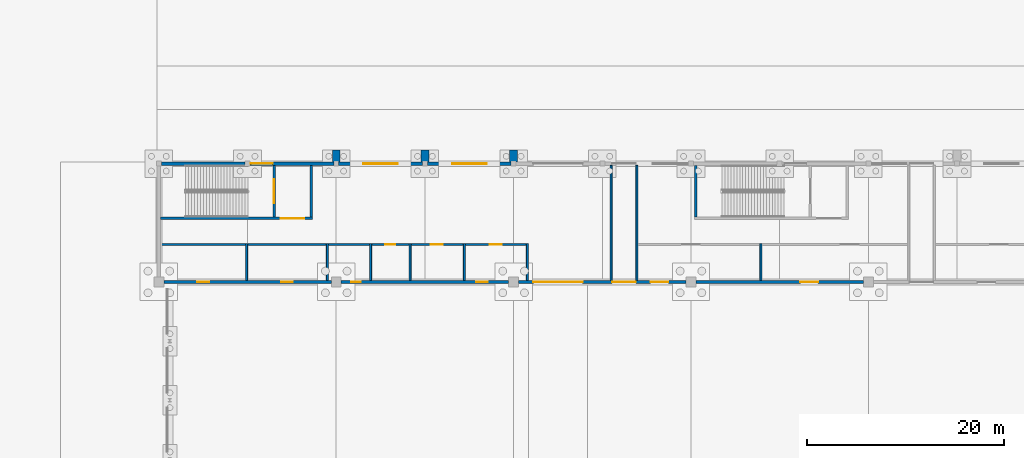
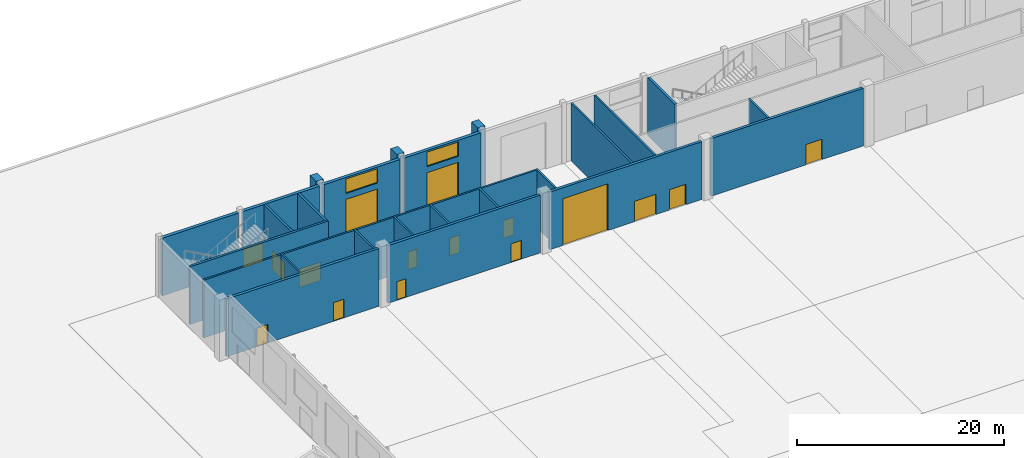
# One storey, part 179 of 239: 25 walls, 16 doors, 2 windows, 18 openings.
"""IFC4 building model written with IfcOpenShell, lengths in metres."""

from ifc_helpers import new_model, si_unit, direction, frame, frame_2d, origin, place, context, subcontext, project, spatial, rectangle, extrude, material, layer, layer_set, type_object, element, fill, save


model = new_model("IFC4")

# Units and contexts
model_context = context("Model", 3, precision=1e-05, world=origin(), true_north=direction((0.0, 1.0)))
body_context = subcontext(model_context, "Body", "Model", "MODEL_VIEW")
ifc_project = project(units=[si_unit("LENGTHUNIT", "METRE"), si_unit("AREAUNIT", "SQUARE_METRE"), si_unit("VOLUMEUNIT", "CUBIC_METRE"), si_unit("PLANEANGLEUNIT", "RADIAN"), si_unit("MASSUNIT", "GRAM", prefix="KILO")], contexts=[model_context])

# Site, building, storey
site_placement = place(None, origin())
site = spatial("IfcSite", under=ifc_project, at=site_placement, CompositionType="ELEMENT")
building_placement = place(site_placement, origin())
building = spatial("IfcBuilding", under=site, at=building_placement, Name="Okhra Congress Centre", CompositionType="ELEMENT")
storey_placement = place(building_placement, origin())
storey = spatial("IfcBuildingStorey", under=building, at=storey_placement, Name="L00", CompositionType="ELEMENT", Elevation=0.0)

# Walls
ifc_material_1 = material(Name="Double gypsum board on steel studs with mineral wool", Category="steel")
ifc_layer_1 = layer(ifc_material_1, 0.199951171875)
ifc_layer_set_1 = layer_set([ifc_layer_1], Name="Acoustic partition 200")
wall_type_1 = type_object("IfcWallType", Name="Acoustic partition 200", PredefinedType="PARTITIONING", material=ifc_layer_set_1)
for number, where, z_axis, x_axis, name in (
    (1, (36.89990234375, 216.14990234375, 0.0), (0.0, 0.0, 1.0), (0.0, 1.0, 0.0), "EH.WALL.L00.75"),
    (2, (45.10009765625, 216.14990234375, 0.0), (0.0, 0.0, 1.0), (0.0, 1.0, 0.0), "EH.WALL.L00.76"),
    (3, (49.5, 216.14990234375, 0.0), (0.0, 0.0, 1.0), (0.0, 1.0, 0.0), "EH.WALL.L00.77"),
):
    element("IfcWall", number, at=place(storey_placement, frame(where, z_axis=z_axis, x_axis=x_axis)), inside=storey, type_object=wall_type_1, Name=name, PredefinedType="PARTITIONING", context=body_context, shape_type="SweptSolid", body=[
        extrude(rectangle(XDim=3.75, YDim=0.199951171875, at=frame_2d((1.875, 0.0))), origin(), (0.0, 0.0, 1.0), 6.800048828125),
    ])
ifc_material_2 = material(Name="Concrete C35/45", Category="concrete")
ifc_layer_2 = layer(ifc_material_2, 0.800048828125)
ifc_layer_set_2 = layer_set([ifc_layer_2], Name="Buttress fin 800 REI 120 C35/45")
wall_type_2 = type_object("IfcWallType", Name="Buttress fin 800 REI 120 C35/45", PredefinedType="SOLIDWALL", material=ifc_layer_set_2)
for number, where, z_axis, x_axis, name in (
    (4, (46.0, 228.169921875, -0.39990234375), (0.0, 0.0, 1.0), (0.0, 1.0, 0.0), "EH.WALL.L00.63"),
    (5, (55.0, 228.169921875, -0.39990234375), (0.0, 0.0, 1.0), (0.0, 1.0, 0.0), "EH.WALL.L00.64"),
    (6, (64.0, 228.169921875, -0.39990234375), (0.0, 0.0, 1.0), (0.0, 1.0, 0.0), "EH.WALL.L00.65"),
):
    element("IfcWall", number, at=place(storey_placement, frame(where, z_axis=z_axis, x_axis=x_axis)), inside=storey, type_object=wall_type_2, Name=name, PredefinedType="SOLIDWALL", context=body_context, shape_type="SweptSolid", body=[
        extrude(rectangle(XDim=1.205078125, YDim=0.800048828125, at=frame_2d((0.6025390625, 0.0))), origin(), (0.0, 0.0, 1.0), 7.599853515625),
    ])

# Wall, openings, window, door
ifc_material_3 = material(Name="Insulated metal sandwich panel (mineral wool core)")
ifc_layer_3 = layer(ifc_material_3, 0.35009765625)
ifc_layer_set_3 = layer_set([ifc_layer_3], Name="Insulated wall panel 350")
wall_type_3 = type_object("IfcWallType", Name="Insulated wall panel 350", PredefinedType="SOLIDWALL", material=ifc_layer_set_3)
wall_1_placement = place(storey_placement, frame((46.25, 228.0, 0.0), z_axis=(0.0, 0.0, 1.0), x_axis=(1.0, 0.0, 0.0)))
wall_1 = element("IfcWall", 7, at=wall_1_placement, inside=storey, type_object=wall_type_3, Name="EH.WALL.L00.41", PredefinedType="SOLIDWALL", context=body_context, shape_type="SweptSolid", body=[
    extrude(rectangle(XDim=8.5, YDim=0.35009765625, at=frame_2d((4.25, 0.0))), origin(), (0.0, 0.0, 1.0), 6.800048828125),
])
opening_1_placement = place(wall_1_placement, frame((2.5, 0.0, 0.0)))
opening_1 = element("IfcOpeningElement", 8, at=opening_1_placement, cuts=wall_1, Name="Opening L00-044", PredefinedType="OPENING", context=body_context, shape_type="SweptSolid", body=[
    extrude(rectangle(XDim=3.5, YDim=4.199951171875, at=frame_2d((1.75, 2.10009765625))), frame((0.0, 0.18505859375, 0.0), z_axis=(0.0, -1.0, 0.0), x_axis=(1.0, 0.0, 0.0)), (0.0, 0.0, 1.0), 0.3701171875),
])
opening_2_placement = place(wall_1_placement, frame((2.5, 0.0, 4.89990234375)))
opening_2 = element("IfcOpeningElement", 9, at=opening_2_placement, cuts=wall_1, Name="Opening WN8", PredefinedType="OPENING", context=body_context, shape_type="SweptSolid", body=[
    extrude(rectangle(XDim=3.5, YDim=1.699951171875, at=frame_2d((1.75, 0.85009765625))), frame((0.0, 0.18505859375, 0.0), z_axis=(0.0, -1.0, 0.0), x_axis=(1.0, 0.0, 0.0)), (0.0, 0.0, 1.0), 0.3701171875),
])
ifc_material_4 = material(Name="Thermally broken aluminium frame, triple glazing", Category="aluminium")
window_type = type_object("IfcWindowType", Name="Fixed window 3500x1700", PartitioningType="SINGLE_PANEL", PredefinedType="WINDOW", material=ifc_material_4)
window_1_placement = place(opening_2_placement, origin())
window_1 = element("IfcWindow", 10, at=window_1_placement, inside=storey, type_object=window_type, Name="EH.WIN.L00.36", OverallHeight=1.699951171875, OverallWidth=3.5, PartitioningType="SINGLE_PANEL", PredefinedType="WINDOW", context=body_context, shape_type="SweptSolid", body=[
    extrude(rectangle(XDim=3.5, YDim=1.699951171875, at=frame_2d((1.75, 0.85009765625))), frame((0.0, 0.030029296875, 0.0), z_axis=(0.0, -1.0, 0.0), x_axis=(1.0, 0.0, 0.0)), (0.0, 0.0, 1.0), 0.06005859375),
])
fill(opening_2, window_1)
ifc_material_5 = material(Name="Insulated steel slat roller shutter", Category="steel")
door_type_1 = type_object("IfcDoorType", Name="Roller shutter door 3500x4200", OperationType="ROLLINGUP", PredefinedType="DOOR", material=ifc_material_5)
door_1_placement = place(opening_1_placement, origin())
door_1 = element("IfcDoor", 11, at=door_1_placement, inside=storey, type_object=door_type_1, Name="Door L00-044", OperationType="ROLLINGUP", OverallHeight=4.199951171875, OverallWidth=3.5, PredefinedType="DOOR", context=body_context, shape_type="SweptSolid", body=[
    extrude(rectangle(XDim=3.5, YDim=4.199951171875, at=frame_2d((1.75, 2.10009765625))), frame((0.0, 0.02490234375, 0.0), z_axis=(0.0, -1.0, 0.0), x_axis=(1.0, 0.0, 0.0)), (0.0, 0.0, 1.0), 0.050048828125),
])
fill(opening_1, door_1)

wall_2_placement = place(storey_placement, frame((55.25, 228.0, 0.0), z_axis=(0.0, 0.0, 1.0), x_axis=(1.0, 0.0, 0.0)))
wall_2 = element("IfcWall", 12, at=wall_2_placement, inside=storey, type_object=wall_type_3, Name="EH.WALL.L00.42", PredefinedType="SOLIDWALL", context=body_context, shape_type="SweptSolid", body=[
    extrude(rectangle(XDim=8.5, YDim=0.35009765625, at=frame_2d((4.25, 0.0))), origin(), (0.0, 0.0, 1.0), 6.800048828125),
])
opening_3_placement = place(wall_2_placement, frame((2.5, 0.0, 0.0)))
opening_3 = element("IfcOpeningElement", 13, at=opening_3_placement, cuts=wall_2, Name="Opening L00-045", PredefinedType="OPENING", context=body_context, shape_type="SweptSolid", body=[
    extrude(rectangle(XDim=3.5, YDim=4.199951171875, at=frame_2d((1.75, 2.10009765625))), frame((0.0, 0.18505859375, 0.0), z_axis=(0.0, -1.0, 0.0), x_axis=(1.0, 0.0, 0.0)), (0.0, 0.0, 1.0), 0.3701171875),
])
opening_4_placement = place(wall_2_placement, frame((2.5, 0.0, 4.89990234375)))
opening_4 = element("IfcOpeningElement", 14, at=opening_4_placement, cuts=wall_2, Name="Opening WN8", PredefinedType="OPENING", context=body_context, shape_type="SweptSolid", body=[
    extrude(rectangle(XDim=3.5, YDim=1.699951171875, at=frame_2d((1.75, 0.85009765625))), frame((0.0, 0.18505859375, 0.0), z_axis=(0.0, -1.0, 0.0), x_axis=(1.0, 0.0, 0.0)), (0.0, 0.0, 1.0), 0.3701171875),
])
window_2_placement = place(opening_4_placement, origin())
window_2 = element("IfcWindow", 15, at=window_2_placement, inside=storey, type_object=window_type, Name="EH.WIN.L00.37", OverallHeight=1.699951171875, OverallWidth=3.5, PartitioningType="SINGLE_PANEL", PredefinedType="WINDOW", context=body_context, shape_type="SweptSolid", body=[
    extrude(rectangle(XDim=3.5, YDim=1.699951171875, at=frame_2d((1.75, 0.85009765625))), frame((0.0, 0.030029296875, 0.0), z_axis=(0.0, -1.0, 0.0), x_axis=(1.0, 0.0, 0.0)), (0.0, 0.0, 1.0), 0.06005859375),
])
fill(opening_4, window_2)
door_2_placement = place(opening_3_placement, origin())
door_2 = element("IfcDoor", 16, at=door_2_placement, inside=storey, type_object=door_type_1, Name="Door L00-045", OperationType="ROLLINGUP", OverallHeight=4.199951171875, OverallWidth=3.5, PredefinedType="DOOR", context=body_context, shape_type="SweptSolid", body=[
    extrude(rectangle(XDim=3.5, YDim=4.199951171875, at=frame_2d((1.75, 2.10009765625))), frame((0.0, 0.02490234375, 0.0), z_axis=(0.0, -1.0, 0.0), x_axis=(1.0, 0.0, 0.0)), (0.0, 0.0, 1.0), 0.050048828125),
])
fill(opening_3, door_2)

# Wall, openings, doors
ifc_material_6 = material(Name="Masonry blockwork (aerated concrete D500)", Category="masonry")
ifc_layer_4 = layer(ifc_material_6, 0.199951171875)
ifc_layer_set_4 = layer_set([ifc_layer_4], Name="Masonry block wall 200 EI 45")
wall_type_4 = type_object("IfcWallType", Name="Masonry block wall 200 EI 45", PredefinedType="SOLIDWALL", material=ifc_layer_set_4)
wall_3_placement = place(storey_placement, frame((28.175048828125, 219.800048828125, 0.0), z_axis=(0.0, 0.0, 1.0), x_axis=(1.0, 0.0, 0.0)))
wall_3 = element("IfcWall", 17, at=wall_3_placement, inside=storey, type_object=wall_type_4, Name="EH.WALL.L00.70", PredefinedType="SOLIDWALL", context=body_context, shape_type="SweptSolid", body=[
    extrude(rectangle(XDim=37.125, YDim=0.199951171875, at=frame_2d((18.5625, 0.0))), origin(), (0.0, 0.0, 1.0), 6.800048828125),
])
opening_5_placement = place(wall_3_placement, frame((22.824951171875, 0.0, 0.0)))
opening_5 = element("IfcOpeningElement", 18, at=opening_5_placement, cuts=wall_3, Name="Opening L00-063", PredefinedType="OPENING", context=body_context, shape_type="SweptSolid", body=[
    extrude(rectangle(XDim=1.0, YDim=2.10009765625, at=frame_2d((0.5, 1.050048828125))), frame((0.0, 0.10986328125, 0.0), z_axis=(0.0, -1.0, 0.0), x_axis=(1.0, 0.0, 0.0)), (0.0, 0.0, 1.0), 0.219970703125),
])
opening_6_placement = place(wall_3_placement, frame((27.425048828125, 0.0, 0.0)))
opening_6 = element("IfcOpeningElement", 19, at=opening_6_placement, cuts=wall_3, Name="Opening L00-064", PredefinedType="OPENING", context=body_context, shape_type="SweptSolid", body=[
    extrude(rectangle(XDim=1.199951171875, YDim=2.10009765625, at=frame_2d((0.60009765625, 1.050048828125))), frame((0.0, 0.10986328125, 0.0), z_axis=(0.0, -1.0, 0.0), x_axis=(1.0, 0.0, 0.0)), (0.0, 0.0, 1.0), 0.219970703125),
])
opening_7_placement = place(wall_3_placement, frame((33.425048828125, 0.0, 0.0)))
opening_7 = element("IfcOpeningElement", 20, at=opening_7_placement, cuts=wall_3, Name="Opening L00-065", PredefinedType="OPENING", context=body_context, shape_type="SweptSolid", body=[
    extrude(rectangle(XDim=1.199951171875, YDim=2.10009765625, at=frame_2d((0.60009765625, 1.050048828125))), frame((0.0, 0.10986328125, 0.0), z_axis=(0.0, -1.0, 0.0), x_axis=(1.0, 0.0, 0.0)), (0.0, 0.0, 1.0), 0.219970703125),
])
ifc_material_7 = material(Name="Steel fire door leaf in steel frame, intumescent seals", Category="steel")
door_type_2 = type_object("IfcDoorType", Name="Steel fire door 1000x2100 EI 30", OperationType="NOTDEFINED", PredefinedType="DOOR", material=ifc_material_7)
door_3_placement = place(opening_5_placement, frame((1.0, 0.0, 0.0), z_axis=(0.0, 0.0, 1.0), x_axis=(-1.0, 0.0, 0.0)))
door_3 = element("IfcDoor", 21, at=door_3_placement, inside=storey, type_object=door_type_2, Name="Door L00-063", OperationType="SINGLE_SWING_RIGHT", OverallHeight=2.10009765625, OverallWidth=1.0, PredefinedType="DOOR", context=body_context, shape_type="SweptSolid", body=[
    extrude(rectangle(XDim=1.0, YDim=2.10009765625, at=frame_2d((0.5, 1.050048828125))), frame((0.0, 0.02490234375, 0.0), z_axis=(0.0, -1.0, 0.0), x_axis=(1.0, 0.0, 0.0)), (0.0, 0.0, 1.0), 0.050048828125),
])
fill(opening_5, door_3)
door_type_3 = type_object("IfcDoorType", Name="Steel fire door 1200x2100 EI 30", OperationType="NOTDEFINED", PredefinedType="DOOR", material=ifc_material_7)
door_4_placement = place(opening_6_placement, frame((1.199951171875, 0.0, 0.0), z_axis=(0.0, 0.0, 1.0), x_axis=(-1.0, 0.0, 0.0)))
door_4 = element("IfcDoor", 22, at=door_4_placement, inside=storey, type_object=door_type_3, Name="Door L00-064", OperationType="SINGLE_SWING_LEFT", OverallHeight=2.10009765625, OverallWidth=1.199951171875, PredefinedType="DOOR", context=body_context, shape_type="SweptSolid", body=[
    extrude(rectangle(XDim=1.199951171875, YDim=2.10009765625, at=frame_2d((0.60009765625, 1.050048828125))), frame((0.0, 0.02490234375, 0.0), z_axis=(0.0, -1.0, 0.0), x_axis=(1.0, 0.0, 0.0)), (0.0, 0.0, 1.0), 0.050048828125),
])
fill(opening_6, door_4)
door_5_placement = place(opening_7_placement, frame((1.199951171875, 0.0, 0.0), z_axis=(0.0, 0.0, 1.0), x_axis=(-1.0, 0.0, 0.0)))
door_5 = element("IfcDoor", 23, at=door_5_placement, inside=storey, type_object=door_type_3, Name="Door L00-065", OperationType="SINGLE_SWING_RIGHT", OverallHeight=2.10009765625, OverallWidth=1.199951171875, PredefinedType="DOOR", context=body_context, shape_type="SweptSolid", body=[
    extrude(rectangle(XDim=1.199951171875, YDim=2.10009765625, at=frame_2d((0.60009765625, 1.050048828125))), frame((0.0, 0.02490234375, 0.0), z_axis=(0.0, -1.0, 0.0), x_axis=(1.0, 0.0, 0.0)), (0.0, 0.0, 1.0), 0.050048828125),
])
fill(opening_7, door_5)

# Walls
for number, where, z_axis, x_axis, name in (
    (24, (53.5, 216.14990234375, 0.0), (0.0, 0.0, 1.0), (0.0, 1.0, 0.0), "EH.WALL.L00.78"),
    (25, (59.0, 216.14990234375, 0.0), (0.0, 0.0, 1.0), (0.0, 1.0, 0.0), "EH.WALL.L00.79"),
    (26, (89.10009765625, 216.14990234375, 0.0), (0.0, 0.0, 1.0), (0.0, 1.0, 0.0), "EH.WALL.L00.80"),
    (27, (65.39990234375, 216.14990234375, 0.0), (0.0, 0.0, 1.0), (0.0, 1.0, 0.0), "EH.WALL.L00.82"),
):
    element("IfcWall", number, at=place(storey_placement, frame(where, z_axis=z_axis, x_axis=x_axis)), inside=storey, type_object=wall_type_4, Name=name, PredefinedType="SOLIDWALL", context=body_context, shape_type="SweptSolid", body=[
        extrude(rectangle(XDim=3.75, YDim=0.199951171875, at=frame_2d((1.875, 0.0))), origin(), (0.0, 0.0, 1.0), 6.800048828125),
    ])

# Wall, openings, doors
ifc_material_8 = material(Name="Concrete C30/37", Category="concrete")
ifc_layer_5 = layer(ifc_material_8, 0.300048828125)
ifc_layer_set_5 = layer_set([ifc_layer_5], Name="RC fire wall 300 REI 150 C30/37")
wall_type_5 = type_object("IfcWallType", Name="RC fire wall 300 REI 150 C30/37", PredefinedType="SOLIDWALL", material=ifc_layer_set_5)
wall_4_placement = place(storey_placement, frame((28.5, 216.0, 0.0), z_axis=(0.0, 0.0, 1.0), x_axis=(1.0, 0.0, 0.0)))
wall_4 = element("IfcWall", 28, at=wall_4_placement, inside=storey, type_object=wall_type_5, Name="EH.WALL.L00.22", PredefinedType="SOLIDWALL", context=body_context, shape_type="SweptSolid", body=[
    extrude(rectangle(XDim=17.0, YDim=0.300048828125, at=frame_2d((8.5, 0.0))), origin(), (0.0, 0.0, 1.0), 6.800048828125),
])
opening_8_placement = place(wall_4_placement, frame((3.39990234375, 0.0, 0.0)))
opening_8 = element("IfcOpeningElement", 29, at=opening_8_placement, cuts=wall_4, Name="Opening L00-019", PredefinedType="OPENING", context=body_context, shape_type="SweptSolid", body=[
    extrude(rectangle(XDim=1.199951171875, YDim=2.199951171875, at=frame_2d((0.60009765625, 1.10009765625))), frame((0.0, 0.159912109375, 0.0), z_axis=(0.0, -1.0, 0.0), x_axis=(1.0, 0.0, 0.0)), (0.0, 0.0, 1.0), 0.320068359375),
])
opening_9_placement = place(wall_4_placement, frame((11.89990234375, 0.0, 0.0)))
opening_9 = element("IfcOpeningElement", 30, at=opening_9_placement, cuts=wall_4, Name="Opening L00-020", PredefinedType="OPENING", context=body_context, shape_type="SweptSolid", body=[
    extrude(rectangle(XDim=1.199951171875, YDim=2.199951171875, at=frame_2d((0.60009765625, 1.10009765625))), frame((0.0, 0.159912109375, 0.0), z_axis=(0.0, -1.0, 0.0), x_axis=(1.0, 0.0, 0.0)), (0.0, 0.0, 1.0), 0.320068359375),
])
door_type_4 = type_object("IfcDoorType", Name="Steel fire door 1200x2200 EI 60", OperationType="NOTDEFINED", PredefinedType="DOOR", material=ifc_material_7)
door_6_placement = place(opening_8_placement, origin())
door_6 = element("IfcDoor", 31, at=door_6_placement, inside=storey, type_object=door_type_4, Name="Door L00-019", OperationType="SINGLE_SWING_LEFT", OverallHeight=2.199951171875, OverallWidth=1.199951171875, PredefinedType="DOOR", context=body_context, shape_type="SweptSolid", body=[
    extrude(rectangle(XDim=1.199951171875, YDim=2.199951171875, at=frame_2d((0.60009765625, 1.10009765625))), frame((0.0, 0.02490234375, 0.0), z_axis=(0.0, -1.0, 0.0), x_axis=(1.0, 0.0, 0.0)), (0.0, 0.0, 1.0), 0.050048828125),
])
fill(opening_8, door_6)
door_7_placement = place(opening_9_placement, origin())
door_7 = element("IfcDoor", 32, at=door_7_placement, inside=storey, type_object=door_type_4, Name="Door L00-020", OperationType="SINGLE_SWING_RIGHT", OverallHeight=2.199951171875, OverallWidth=1.199951171875, PredefinedType="DOOR", context=body_context, shape_type="SweptSolid", body=[
    extrude(rectangle(XDim=1.199951171875, YDim=2.199951171875, at=frame_2d((0.60009765625, 1.10009765625))), frame((0.0, 0.02490234375, 0.0), z_axis=(0.0, -1.0, 0.0), x_axis=(1.0, 0.0, 0.0)), (0.0, 0.0, 1.0), 0.050048828125),
])
fill(opening_9, door_7)

wall_5_placement = place(storey_placement, frame((46.5, 216.0, 0.0), z_axis=(0.0, 0.0, 1.0), x_axis=(1.0, 0.0, 0.0)))
wall_5 = element("IfcWall", 33, at=wall_5_placement, inside=storey, type_object=wall_type_5, Name="EH.WALL.L00.23", PredefinedType="SOLIDWALL", context=body_context, shape_type="SweptSolid", body=[
    extrude(rectangle(XDim=17.0, YDim=0.300048828125, at=frame_2d((8.5, 0.0))), origin(), (0.0, 0.0, 1.0), 6.800048828125),
])
opening_10_placement = place(wall_5_placement, frame((1.0, 0.0, 0.0)))
opening_10 = element("IfcOpeningElement", 34, at=opening_10_placement, cuts=wall_5, Name="Opening L00-021", PredefinedType="OPENING", context=body_context, shape_type="SweptSolid", body=[
    extrude(rectangle(XDim=1.0, YDim=2.199951171875, at=frame_2d((0.5, 1.10009765625))), frame((0.0, 0.159912109375, 0.0), z_axis=(0.0, -1.0, 0.0), x_axis=(1.0, 0.0, 0.0)), (0.0, 0.0, 1.0), 0.320068359375),
])
opening_11_placement = place(wall_5_placement, frame((13.699951171875, 0.0, 0.0)))
opening_11 = element("IfcOpeningElement", 35, at=opening_11_placement, cuts=wall_5, Name="Opening L00-022", PredefinedType="OPENING", context=body_context, shape_type="SweptSolid", body=[
    extrude(rectangle(XDim=1.199951171875, YDim=2.199951171875, at=frame_2d((0.60009765625, 1.10009765625))), frame((0.0, 0.159912109375, 0.0), z_axis=(0.0, -1.0, 0.0), x_axis=(1.0, 0.0, 0.0)), (0.0, 0.0, 1.0), 0.320068359375),
])
door_type_5 = type_object("IfcDoorType", Name="Steel fire door 1000x2200 EI 60", OperationType="NOTDEFINED", PredefinedType="DOOR", material=ifc_material_7)
door_8_placement = place(opening_10_placement, origin())
door_8 = element("IfcDoor", 36, at=door_8_placement, inside=storey, type_object=door_type_5, Name="Door L00-021", OperationType="SINGLE_SWING_LEFT", OverallHeight=2.199951171875, OverallWidth=1.0, PredefinedType="DOOR", context=body_context, shape_type="SweptSolid", body=[
    extrude(rectangle(XDim=1.0, YDim=2.199951171875, at=frame_2d((0.5, 1.10009765625))), frame((0.0, 0.02490234375, 0.0), z_axis=(0.0, -1.0, 0.0), x_axis=(1.0, 0.0, 0.0)), (0.0, 0.0, 1.0), 0.050048828125),
])
fill(opening_10, door_8)
door_9_placement = place(opening_11_placement, frame((1.199951171875, 0.0, 0.0), z_axis=(0.0, 0.0, 1.0), x_axis=(-1.0, 0.0, 0.0)))
door_9 = element("IfcDoor", 37, at=door_9_placement, inside=storey, type_object=door_type_4, Name="Door L00-022", OperationType="SINGLE_SWING_LEFT", OverallHeight=2.199951171875, OverallWidth=1.199951171875, PredefinedType="DOOR", context=body_context, shape_type="SweptSolid", body=[
    extrude(rectangle(XDim=1.199951171875, YDim=2.199951171875, at=frame_2d((0.60009765625, 1.10009765625))), frame((0.0, 0.02490234375, 0.0), z_axis=(0.0, -1.0, 0.0), x_axis=(1.0, 0.0, 0.0)), (0.0, 0.0, 1.0), 0.050048828125),
])
fill(opening_11, door_9)

wall_6_placement = place(storey_placement, frame((64.5, 216.0, 0.0), z_axis=(0.0, 0.0, 1.0), x_axis=(1.0, 0.0, 0.0)))
wall_6 = element("IfcWall", 38, at=wall_6_placement, inside=storey, type_object=wall_type_5, Name="EH.WALL.L00.24", PredefinedType="SOLIDWALL", context=body_context, shape_type="SweptSolid", body=[
    extrude(rectangle(XDim=17.0, YDim=0.300048828125, at=frame_2d((8.5, 0.0))), origin(), (0.0, 0.0, 1.0), 6.800048828125),
])
opening_12_placement = place(wall_6_placement, frame((13.39990234375, 0.0, 0.0)))
opening_12 = element("IfcOpeningElement", 39, at=opening_12_placement, cuts=wall_6, Name="Opening L00-023", PredefinedType="OPENING", context=body_context, shape_type="SweptSolid", body=[
    extrude(rectangle(XDim=1.800048828125, YDim=2.39990234375, at=frame_2d((0.89990234375, 1.199951171875))), frame((0.0, 0.159912109375, 0.0), z_axis=(0.0, -1.0, 0.0), x_axis=(1.0, 0.0, 0.0)), (0.0, 0.0, 1.0), 0.320068359375),
])
opening_13_placement = place(wall_6_placement, frame((1.5, 0.0, 0.0)))
opening_13 = element("IfcOpeningElement", 40, at=opening_13_placement, cuts=wall_6, Name="Opening L00-027", PredefinedType="OPENING", context=body_context, shape_type="SweptSolid", body=[
    extrude(rectangle(XDim=5.0, YDim=5.5, at=frame_2d((2.5, 2.75))), frame((0.0, 0.159912109375, 0.0), z_axis=(0.0, -1.0, 0.0), x_axis=(1.0, 0.0, 0.0)), (0.0, 0.0, 1.0), 0.320068359375),
])
opening_14_placement = place(wall_6_placement, frame((9.5, 0.0, 0.0)))
opening_14 = element("IfcOpeningElement", 41, at=opening_14_placement, cuts=wall_6, Name="Opening L00-029", PredefinedType="OPENING", context=body_context, shape_type="SweptSolid", body=[
    extrude(rectangle(XDim=2.39990234375, YDim=2.39990234375, at=frame_2d((1.199951171875, 1.199951171875))), frame((0.0, 0.159912109375, 0.0), z_axis=(0.0, -1.0, 0.0), x_axis=(1.0, 0.0, 0.0)), (0.0, 0.0, 1.0), 0.320068359375),
])
ifc_material_9 = material(Name="Steel slat fire shutter", Category="steel")
door_type_6 = type_object("IfcDoorType", Name="Rolling fire shutter 5000x5500 EI 90", OperationType="ROLLINGUP", PredefinedType="DOOR", material=ifc_material_9)
door_10_placement = place(opening_13_placement, origin())
door_10 = element("IfcDoor", 42, at=door_10_placement, inside=storey, type_object=door_type_6, Name="Door L00-027", OperationType="ROLLINGUP", OverallHeight=5.5, OverallWidth=5.0, PredefinedType="DOOR", context=body_context, shape_type="SweptSolid", body=[
    extrude(rectangle(XDim=5.0, YDim=5.5, at=frame_2d((2.5, 2.75))), frame((0.0, 0.02490234375, 0.0), z_axis=(0.0, -1.0, 0.0), x_axis=(1.0, 0.0, 0.0)), (0.0, 0.0, 1.0), 0.050048828125),
])
fill(opening_13, door_10)
ifc_material_10 = material(Name="Steel fire door leaves in steel frame, intumescent seals", Category="steel")
door_type_7 = type_object("IfcDoorType", Name="Steel fire door pair 1800x2400 EI 60", OperationType="NOTDEFINED", PredefinedType="DOOR", material=ifc_material_10)
door_11_placement = place(opening_12_placement, frame((1.800048828125, 0.0, 0.0), z_axis=(0.0, 0.0, 1.0), x_axis=(-1.0, 0.0, 0.0)))
door_11 = element("IfcDoor", 43, at=door_11_placement, inside=storey, type_object=door_type_7, Name="Door L00-023", OperationType="DOUBLE_DOOR_SINGLE_SWING", OverallHeight=2.39990234375, OverallWidth=1.800048828125, PredefinedType="DOOR", context=body_context, shape_type="SweptSolid", body=[
    extrude(rectangle(XDim=1.800048828125, YDim=2.39990234375, at=frame_2d((0.89990234375, 1.199951171875))), frame((0.0, 0.02490234375, 0.0), z_axis=(0.0, -1.0, 0.0), x_axis=(1.0, 0.0, 0.0)), (0.0, 0.0, 1.0), 0.050048828125),
])
fill(opening_12, door_11)
door_type_8 = type_object("IfcDoorType", Name="Steel fire door pair 2400x2400 EI 60", OperationType="NOTDEFINED", PredefinedType="DOOR", material=ifc_material_10)
door_12_placement = place(opening_14_placement, origin())
door_12 = element("IfcDoor", 44, at=door_12_placement, inside=storey, type_object=door_type_8, Name="Door L00-029", OperationType="DOUBLE_DOOR_SINGLE_SWING", OverallHeight=2.39990234375, OverallWidth=2.39990234375, PredefinedType="DOOR", context=body_context, shape_type="SweptSolid", body=[
    extrude(rectangle(XDim=2.39990234375, YDim=2.39990234375, at=frame_2d((1.199951171875, 1.199951171875))), frame((0.0, 0.02490234375, 0.0), z_axis=(0.0, -1.0, 0.0), x_axis=(1.0, 0.0, 0.0)), (0.0, 0.0, 1.0), 0.050048828125),
])
fill(opening_14, door_12)

# Wall, opening, door
wall_7_placement = place(storey_placement, frame((82.5, 216.0, 0.0), z_axis=(0.0, 0.0, 1.0), x_axis=(1.0, 0.0, 0.0)))
wall_7 = element("IfcWall", 45, at=wall_7_placement, inside=storey, type_object=wall_type_5, Name="EH.WALL.L00.25", PredefinedType="SOLIDWALL", context=body_context, shape_type="SweptSolid", body=[
    extrude(rectangle(XDim=17.0, YDim=0.300048828125, at=frame_2d((8.5, 0.0))), origin(), (0.0, 0.0, 1.0), 6.800048828125),
])
opening_15_placement = place(wall_7_placement, frame((10.60009765625, 0.0, 0.0)))
opening_15 = element("IfcOpeningElement", 46, at=opening_15_placement, cuts=wall_7, Name="Opening L00-024", PredefinedType="OPENING", context=body_context, shape_type="SweptSolid", body=[
    extrude(rectangle(XDim=1.800048828125, YDim=2.39990234375, at=frame_2d((0.89990234375, 1.199951171875))), frame((0.0, 0.159912109375, 0.0), z_axis=(0.0, -1.0, 0.0), x_axis=(1.0, 0.0, 0.0)), (0.0, 0.0, 1.0), 0.320068359375),
])
door_13_placement = place(opening_15_placement, frame((1.800048828125, 0.0, 0.0), z_axis=(0.0, 0.0, 1.0), x_axis=(-1.0, 0.0, 0.0)))
door_13 = element("IfcDoor", 47, at=door_13_placement, inside=storey, type_object=door_type_7, Name="Door L00-024", OperationType="DOUBLE_DOOR_SINGLE_SWING", OverallHeight=2.39990234375, OverallWidth=1.800048828125, PredefinedType="DOOR", context=body_context, shape_type="SweptSolid", body=[
    extrude(rectangle(XDim=1.800048828125, YDim=2.39990234375, at=frame_2d((0.89990234375, 1.199951171875))), frame((0.0, 0.02490234375, 0.0), z_axis=(0.0, -1.0, 0.0), x_axis=(1.0, 0.0, 0.0)), (0.0, 0.0, 1.0), 0.050048828125),
])
fill(opening_15, door_13)

# Walls
ifc_layer_6 = layer(ifc_material_8, 0.199951171875)
ifc_layer_set_6 = layer_set([ifc_layer_6], Name="RC wall 200 REI 120 C30/37")
wall_type_6 = type_object("IfcWallType", Name="RC wall 200 REI 120 C30/37", PredefinedType="SOLIDWALL", material=ifc_layer_set_6)
for number, where, z_axis, x_axis, name in (
    (48, (73.89990234375, 216.14990234375, 0.0), (0.0, 0.0, 1.0), (0.0, 1.0, 0.0), "EH.WALL.L00.85"),
    (49, (76.5, 216.14990234375, 0.0), (0.0, 0.0, 1.0), (0.0, 1.0, 0.0), "EH.WALL.L00.86"),
):
    element("IfcWall", number, at=place(storey_placement, frame(where, z_axis=z_axis, x_axis=x_axis)), inside=storey, type_object=wall_type_6, Name=name, PredefinedType="SOLIDWALL", context=body_context, shape_type="SweptSolid", body=[
        extrude(rectangle(XDim=11.675048828125, YDim=0.199951171875, at=frame_2d((5.83740234375, 0.0))), origin(), (0.0, 0.0, 1.0), 6.800048828125),
    ])

# Wall, opening, door
ifc_layer_7 = layer(ifc_material_8, 0.25)
ifc_layer_set_7 = layer_set([ifc_layer_7], Name="RC wall 250 REI 120 C30/37")
wall_type_7 = type_object("IfcWallType", Name="RC wall 250 REI 120 C30/37", PredefinedType="SOLIDWALL", material=ifc_layer_set_7)
wall_8_placement = place(storey_placement, frame((28.175048828125, 222.449951171875, 0.0), z_axis=(0.0, 0.0, 1.0), x_axis=(1.0, 0.0, 0.0)))
wall_8 = element("IfcWall", 50, at=wall_8_placement, inside=storey, type_object=wall_type_7, Name="EH.WALL.L00.53", PredefinedType="SOLIDWALL", context=body_context, shape_type="SweptSolid", body=[
    extrude(rectangle(XDim=15.39990234375, YDim=0.25, at=frame_2d((7.699951171875, 0.0))), origin(), (0.0, 0.0, 1.0), 6.800048828125),
])
opening_16_placement = place(wall_8_placement, frame((12.199951171875, 0.0, 0.0)))
opening_16 = element("IfcOpeningElement", 51, at=opening_16_placement, cuts=wall_8, Name="Opening L00-057", PredefinedType="OPENING", context=body_context, shape_type="SweptSolid", body=[
    extrude(rectangle(XDim=2.39990234375, YDim=2.199951171875, at=frame_2d((1.199951171875, 1.10009765625))), frame((0.0, 0.135009765625, 0.0), z_axis=(0.0, -1.0, 0.0), x_axis=(1.0, 0.0, 0.0)), (0.0, 0.0, 1.0), 0.27001953125),
])
door_type_9 = type_object("IfcDoorType", Name="Steel fire door pair 2400x2200 EI 30", OperationType="NOTDEFINED", PredefinedType="DOOR", material=ifc_material_10)
door_14_placement = place(opening_16_placement, origin())
door_14 = element("IfcDoor", 52, at=door_14_placement, inside=storey, type_object=door_type_9, Name="Door L00-057", OperationType="DOUBLE_DOOR_SINGLE_SWING", OverallHeight=2.199951171875, OverallWidth=2.39990234375, PredefinedType="DOOR", context=body_context, shape_type="SweptSolid", body=[
    extrude(rectangle(XDim=2.39990234375, YDim=2.199951171875, at=frame_2d((1.199951171875, 1.10009765625))), frame((0.0, 0.02490234375, 0.0), z_axis=(0.0, -1.0, 0.0), x_axis=(1.0, 0.0, 0.0)), (0.0, 0.0, 1.0), 0.050048828125),
])
fill(opening_16, door_14)

wall_9_placement = place(storey_placement, frame((39.699951171875, 222.574951171875, 0.0), z_axis=(0.0, 0.0, 1.0), x_axis=(0.0, 1.0, 0.0)))
wall_9 = element("IfcWall", 53, at=wall_9_placement, inside=storey, type_object=wall_type_7, Name="EH.WALL.L00.54", PredefinedType="SOLIDWALL", context=body_context, shape_type="SweptSolid", body=[
    extrude(rectangle(XDim=5.25, YDim=0.25, at=frame_2d((2.625, 0.0))), origin(), (0.0, 0.0, 1.0), 6.800048828125),
])
opening_17_placement = place(wall_9_placement, frame((1.425048828125, 0.0, 0.0)))
opening_17 = element("IfcOpeningElement", 54, at=opening_17_placement, cuts=wall_9, Name="Opening L00-058", PredefinedType="OPENING", context=body_context, shape_type="SweptSolid", body=[
    extrude(rectangle(XDim=2.39990234375, YDim=2.199951171875, at=frame_2d((1.199951171875, 1.10009765625))), frame((0.0, 0.135009765625, 0.0), z_axis=(0.0, -1.0, 0.0), x_axis=(1.0, 0.0, 0.0)), (0.0, 0.0, 1.0), 0.27001953125),
])
door_15_placement = place(opening_17_placement, frame((2.39990234375, 0.0, 0.0), z_axis=(0.0, 0.0, 1.0), x_axis=(-1.0, 0.0, 0.0)))
door_15 = element("IfcDoor", 55, at=door_15_placement, inside=storey, type_object=door_type_9, Name="Door L00-058", OperationType="DOUBLE_DOOR_SINGLE_SWING", OverallHeight=2.199951171875, OverallWidth=2.39990234375, PredefinedType="DOOR", context=body_context, shape_type="SweptSolid", body=[
    extrude(rectangle(XDim=2.39990234375, YDim=2.199951171875, at=frame_2d((1.199951171875, 1.10009765625))), frame((0.0, 0.02490234375, 0.0), z_axis=(0.0, -1.0, 0.0), x_axis=(1.0, 0.0, 0.0)), (0.0, 0.0, 1.0), 0.050048828125),
])
fill(opening_17, door_15)

# Walls
for number, where, z_axis, x_axis, name in (
    (56, (43.449951171875, 222.574951171875, 0.0), (0.0, 0.0, 1.0), (0.0, 1.0, 0.0), "EH.WALL.L00.55"),
    (57, (82.47509765625, 222.574951171875, 0.0), (0.0, 0.0, 1.0), (0.0, 1.0, 0.0), "EH.WALL.L00.58"),
):
    element("IfcWall", number, at=place(storey_placement, frame(where, z_axis=z_axis, x_axis=x_axis)), inside=storey, type_object=wall_type_7, Name=name, PredefinedType="SOLIDWALL", context=body_context, shape_type="SweptSolid", body=[
        extrude(rectangle(XDim=5.25, YDim=0.25, at=frame_2d((2.625, 0.0))), origin(), (0.0, 0.0, 1.0), 6.800048828125),
    ])
ifc_layer_8 = layer(ifc_material_8, 0.35009765625)
ifc_layer_set_8 = layer_set([ifc_layer_8], Name="RC wall 350 REI 120 C30/37")
wall_type_8 = type_object("IfcWallType", Name="RC wall 350 REI 120 C30/37", PredefinedType="SOLIDWALL", material=ifc_layer_set_8)
wall_10_placement = place(storey_placement, frame((28.25, 228.0, 0.0), z_axis=(0.0, 0.0, 1.0), x_axis=(1.0, 0.0, 0.0)))
element("IfcWall", 58, at=wall_10_placement, inside=storey, type_object=wall_type_8, Name="EH.WALL.L00.39", PredefinedType="SOLIDWALL", context=body_context, shape_type="SweptSolid", body=[
    extrude(rectangle(XDim=8.5, YDim=0.35009765625, at=frame_2d((4.25, 0.0))), origin(), (0.0, 0.0, 1.0), 6.800048828125),
])

# Wall, opening, door
wall_11_placement = place(storey_placement, frame((37.25, 228.0, 0.0), z_axis=(0.0, 0.0, 1.0), x_axis=(1.0, 0.0, 0.0)))
wall_11 = element("IfcWall", 59, at=wall_11_placement, inside=storey, type_object=wall_type_8, Name="EH.WALL.L00.40", PredefinedType="SOLIDWALL", context=body_context, shape_type="SweptSolid", body=[
    extrude(rectangle(XDim=8.5, YDim=0.35009765625, at=frame_2d((4.25, 0.0))), origin(), (0.0, 0.0, 1.0), 6.800048828125),
])
opening_18_placement = place(wall_11_placement, frame((0.10009765625, 0.0, 0.0)))
opening_18 = element("IfcOpeningElement", 60, at=opening_18_placement, cuts=wall_11, Name="Opening L00-051", PredefinedType="OPENING", context=body_context, shape_type="SweptSolid", body=[
    extrude(rectangle(XDim=2.199951171875, YDim=2.199951171875, at=frame_2d((1.10009765625, 1.10009765625))), frame((0.0, 0.18505859375, 0.0), z_axis=(0.0, -1.0, 0.0), x_axis=(1.0, 0.0, 0.0)), (0.0, 0.0, 1.0), 0.3701171875),
])
ifc_material_11 = material(Name="Timber door leaves in steel frame", Category="steel")
door_type_10 = type_object("IfcDoorType", Name="Double swing door 2200x2200", OperationType="NOTDEFINED", PredefinedType="DOOR", material=ifc_material_11)
door_16_placement = place(opening_18_placement, origin())
door_16 = element("IfcDoor", 61, at=door_16_placement, inside=storey, type_object=door_type_10, Name="Door L00-051", OperationType="DOUBLE_DOOR_SINGLE_SWING", OverallHeight=2.199951171875, OverallWidth=2.199951171875, PredefinedType="DOOR", context=body_context, shape_type="SweptSolid", body=[
    extrude(rectangle(XDim=2.199951171875, YDim=2.199951171875, at=frame_2d((1.10009765625, 1.10009765625))), frame((0.0, 0.02490234375, 0.0), z_axis=(0.0, -1.0, 0.0), x_axis=(1.0, 0.0, 0.0)), (0.0, 0.0, 1.0), 0.050048828125),
])
fill(opening_18, door_16)

save(model, "model.ifc")
